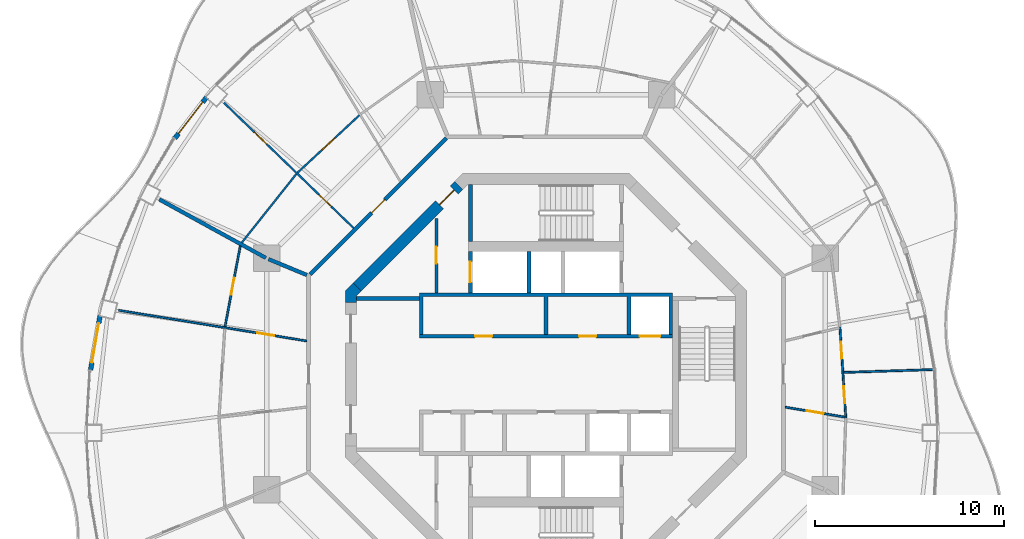
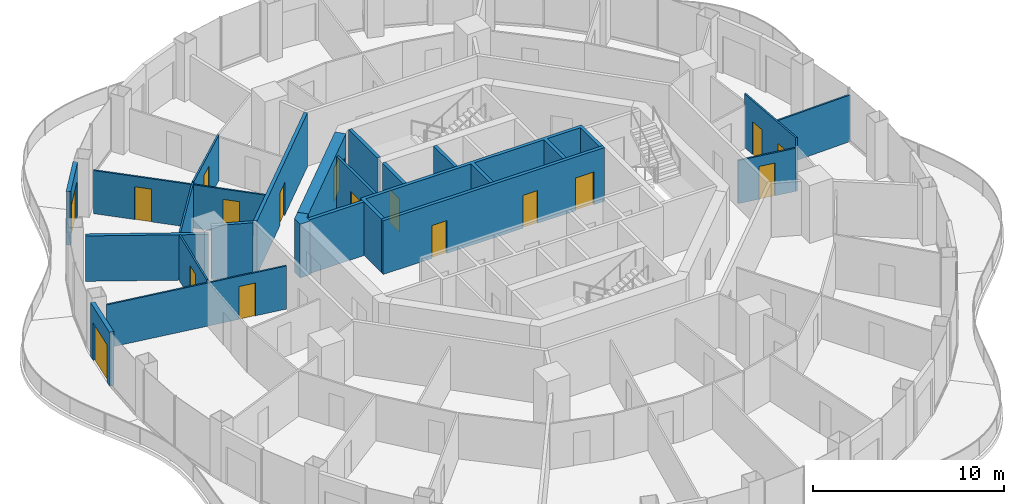
# One storey, part 12 of 17: 22 walls, 17 doors, 17 openings.
"""IFC4 building model written with IfcOpenShell, lengths in metres."""

from ifc_helpers import new_model, si_unit, direction, frame, frame_2d, origin, place, context, subcontext, project, spatial, polyline, rectangle, outline, extrude, material, layer, layer_set, type_object, element, fill, save


model = new_model("IFC4")

# Units and contexts
model_context = context("Model", 3, precision=1e-05, world=origin(), true_north=direction((0.0, 1.0)))
body_context = subcontext(model_context, "Body", "Model", "MODEL_VIEW")
ifc_project = project(units=[si_unit("LENGTHUNIT", "METRE"), si_unit("AREAUNIT", "SQUARE_METRE"), si_unit("VOLUMEUNIT", "CUBIC_METRE"), si_unit("PLANEANGLEUNIT", "RADIAN"), si_unit("MASSUNIT", "GRAM", prefix="KILO")], contexts=[model_context])

# Site, building, storey
site_placement = place(None, origin())
site = spatial("IfcSite", under=ifc_project, at=site_placement, CompositionType="ELEMENT")
building_placement = place(site_placement, origin())
building = spatial("IfcBuilding", under=site, at=building_placement, Name="Nagisa Residences", CompositionType="ELEMENT")
storey_placement = place(building_placement, frame((0.0, 0.0, 291.800048828125)))
storey = spatial("IfcBuildingStorey", under=building, at=storey_placement, Name="L74", CompositionType="ELEMENT", Elevation=291.800048828125)

# Walls
ifc_material_1 = material(Name="Gypsum board on steel studs", Category="steel")
ifc_layer_1 = layer(ifc_material_1, 0.199951171875)
ifc_layer_set_1 = layer_set([ifc_layer_1], Name="Apartment compartment wall EI60 200")
wall_type_1 = type_object("IfcWallType", Name="Apartment compartment wall EI60 200", PredefinedType="PARTITIONING", material=ifc_layer_set_1)
wall_1_placement = place(storey_placement, frame((-12.6572265625, 5.24267578125, 0.0), z_axis=(0.0, 0.0, 1.0), x_axis=(-0.923869415315, 0.382707856524, 0.0)))
element("IfcWall", 1, at=wall_1_placement, inside=storey, type_object=wall_type_1, Name="wall:L74:u04", PredefinedType="PARTITIONING", context=body_context, shape_type="SweptSolid", body=[
    extrude(rectangle(XDim=2.2001953125, YDim=0.199951171875, at=frame_2d((1.10009765625, 0.0))), origin(), (0.0, 0.0, 1.0), 3.43994140625),
])
wall_2_placement = place(storey_placement, frame((-14.825927734375, 6.14697265625, 0.0), z_axis=(0.0, 0.0, 1.0), x_axis=(-0.876484755865, 0.481429613481, 0.0)))
element("IfcWall", 2, at=wall_2_placement, inside=storey, type_object=wall_type_1, Name="wall:L74:u05", PredefinedType="PARTITIONING", context=body_context, shape_type="SweptSolid", body=[
    extrude(rectangle(XDim=6.43896484375, YDim=0.199951171875, at=frame_2d((3.219482421875, 0.0))), origin(), (0.0, 0.0, 1.0), 2.905029296875),
])

# Wall, opening, door
ifc_material_2 = material(Name="Gypsum board on steel studs", Category="steel")
ifc_layer_2 = layer(ifc_material_2, 0.199951171875)
ifc_layer_set_2 = layer_set([ifc_layer_2], Name="Apartment entry wall EI60 200")
wall_type_2 = type_object("IfcWallType", Name="Apartment entry wall EI60 200", PredefinedType="PARTITIONING", material=ifc_layer_set_2)
wall_3_placement = place(storey_placement, frame((-5.275146484375, 12.494140625, 0.0), z_axis=(0.0, 0.0, 1.0), x_axis=(-0.707106781187, -0.707106781187, 0.0)))
wall_3 = element("IfcWall", 3, at=wall_3_placement, inside=storey, type_object=wall_type_2, Name="wall:L74:u13", PredefinedType="PARTITIONING", context=body_context, shape_type="SweptSolid", body=[
    extrude(rectangle(XDim=10.209228515625, YDim=0.199951171875, at=frame_2d((5.1044921875, 0.0))), origin(), (0.0, 0.0, 1.0), 3.43994140625),
])
opening_1_placement = place(wall_3_placement, frame((4.6044921875, 0.0, 0.0)))
opening_1 = element("IfcOpeningElement", 4, at=opening_1_placement, cuts=wall_3, Name="Opening L74-U25", PredefinedType="OPENING", context=body_context, shape_type="SweptSolid", body=[
    extrude(rectangle(XDim=1.0, YDim=2.10009765625, at=frame_2d((0.5, 1.050048828125))), frame((0.0, 0.10986328125, 0.0), z_axis=(0.0, -1.0, 0.0), x_axis=(1.0, 0.0, 0.0)), (0.0, 0.0, 1.0), 0.219970703125),
])
ifc_material_3 = material(Name="Timber fire door set", Category="wood")
door_type_1 = type_object("IfcDoorType", Name="Apartment entry door FD30S 1000x2100", OperationType="NOTDEFINED", PredefinedType="DOOR", material=ifc_material_3)
door_1_placement = place(opening_1_placement, frame((1.0, 0.0, 0.0), x_axis=(-1.0, 0.0, 0.0)))
door_1 = element("IfcDoor", 5, at=door_1_placement, inside=storey, type_object=door_type_1, Name="Entry door, Apartment 74D", OperationType="SINGLE_SWING_RIGHT", OverallHeight=2.10009765625, OverallWidth=1.0, PredefinedType="DOOR", context=body_context, shape_type="SweptSolid", body=[
    extrude(rectangle(XDim=1.0, YDim=2.10009765625, at=frame_2d((0.5, 1.050048828125))), frame((0.0, 0.02490234375, 0.0), z_axis=(0.0, -1.0, 0.0), x_axis=(1.0, 0.0, 0.0)), (0.0, 0.0, 1.0), 0.050048828125),
])
fill(opening_1, door_1)

ifc_material_4 = material(Name="Gypsum board on steel studs", Category="steel")
ifc_layer_3 = layer(ifc_material_4, 0.10009765625)
ifc_layer_set_3 = layer_set([ifc_layer_3], Name="Apartment partition 100")
wall_type_3 = type_object("IfcWallType", Name="Apartment partition 100", PredefinedType="PARTITIONING", material=ifc_layer_set_3)
wall_4_placement = place(storey_placement, frame((12.663330078125, -1.75146484375, 0.0), z_axis=(0.0, 0.0, 1.0), x_axis=(0.98626156497, -0.165191178529, 0.0)))
wall_4 = element("IfcWall", 6, at=wall_4_placement, inside=storey, type_object=wall_type_3, Name="wall:L74:u18", PredefinedType="PARTITIONING", context=body_context, shape_type="SweptSolid", body=[
    extrude(rectangle(XDim=3.1982421875, YDim=0.10009765625, at=frame_2d((1.59912109375, 0.0))), origin(), (0.0, 0.0, 1.0), 2.761962890625),
])
opening_2_placement = place(wall_4_placement, frame((1.149169921875, 0.0, 0.0)))
opening_2 = element("IfcOpeningElement", 7, at=opening_2_placement, cuts=wall_4, Name="Opening L74-U13", PredefinedType="OPENING", context=body_context, shape_type="SweptSolid", body=[
    extrude(rectangle(XDim=0.89990234375, YDim=2.10009765625, at=frame_2d((0.449951171875, 1.050048828125))), frame((0.0, 0.06005859375, 0.0), z_axis=(0.0, -1.0, 0.0), x_axis=(1.0, 0.0, 0.0)), (0.0, 0.0, 1.0), 0.1201171875),
])
ifc_material_5 = material(Name="Timber door set", Category="wood")
door_type_2 = type_object("IfcDoorType", Name="Apartment door 900x2100", OperationType="NOTDEFINED", PredefinedType="DOOR", material=ifc_material_5)
door_2_placement = place(opening_2_placement, frame((0.89990234375, 0.0, 0.0), x_axis=(-1.0, 0.0, 0.0)))
door_2 = element("IfcDoor", 8, at=door_2_placement, inside=storey, type_object=door_type_2, Name="Door to laundry, Apartment 74B", OperationType="SINGLE_SWING_RIGHT", OverallHeight=2.10009765625, OverallWidth=0.89990234375, PredefinedType="DOOR", context=body_context, shape_type="SweptSolid", body=[
    extrude(rectangle(XDim=0.89990234375, YDim=2.10009765625, at=frame_2d((0.449951171875, 1.050048828125))), frame((0.0, 0.02490234375, 0.0), z_axis=(0.0, -1.0, 0.0), x_axis=(1.0, 0.0, 0.0)), (0.0, 0.0, 1.0), 0.050048828125),
])
fill(opening_2, door_2)

# Wall, openings, doors
wall_5_placement = place(storey_placement, frame((15.8701171875, -2.337890625, 0.0), z_axis=(0.0, 0.0, 1.0), x_axis=(-0.064797294757, 0.997898447034, 0.0)))
wall_5 = element("IfcWall", 9, at=wall_5_placement, inside=storey, type_object=wall_type_3, Name="wall:L74:u19", PredefinedType="PARTITIONING", context=body_context, shape_type="SweptSolid", body=[
    extrude(rectangle(XDim=4.856689453125, YDim=0.10009765625, at=frame_2d((2.42822265625, 0.0))), origin(), (0.0, 0.0, 1.0), 3.43994140625),
])
opening_3_placement = place(wall_5_placement, frame((0.789306640625, 0.0, 0.0)))
opening_3 = element("IfcOpeningElement", 10, at=opening_3_placement, cuts=wall_5, Name="Opening L74-U15", PredefinedType="OPENING", context=body_context, shape_type="SweptSolid", body=[
    extrude(rectangle(XDim=0.89990234375, YDim=2.10009765625, at=frame_2d((0.449951171875, 1.050048828125))), frame((0.0, 0.06005859375, 0.0), z_axis=(0.0, -1.0, 0.0), x_axis=(1.0, 0.0, 0.0)), (0.0, 0.0, 1.0), 0.1201171875),
])
opening_4_placement = place(wall_5_placement, frame((3.16748046875, 0.0, 0.0)))
opening_4 = element("IfcOpeningElement", 11, at=opening_4_placement, cuts=wall_5, Name="Opening L74-U16", PredefinedType="OPENING", context=body_context, shape_type="SweptSolid", body=[
    extrude(rectangle(XDim=0.89990234375, YDim=2.10009765625, at=frame_2d((0.449951171875, 1.050048828125))), frame((0.0, 0.06005859375, 0.0), z_axis=(0.0, -1.0, 0.0), x_axis=(1.0, 0.0, 0.0)), (0.0, 0.0, 1.0), 0.1201171875),
])
door_3_placement = place(opening_3_placement, frame((0.89990234375, 0.0, 0.0), x_axis=(-1.0, 0.0, 0.0)))
door_3 = element("IfcDoor", 12, at=door_3_placement, inside=storey, type_object=door_type_2, Name="Door to master bedroom, Apartment 74B", OperationType="SINGLE_SWING_RIGHT", OverallHeight=2.10009765625, OverallWidth=0.89990234375, PredefinedType="DOOR", context=body_context, shape_type="SweptSolid", body=[
    extrude(rectangle(XDim=0.89990234375, YDim=2.10009765625, at=frame_2d((0.449951171875, 1.050048828125))), frame((0.0, 0.02490234375, 0.0), z_axis=(0.0, -1.0, 0.0), x_axis=(1.0, 0.0, 0.0)), (0.0, 0.0, 1.0), 0.050048828125),
])
fill(opening_3, door_3)
door_4_placement = place(opening_4_placement, frame((0.89990234375, 0.0, 0.0), x_axis=(-1.0, 0.0, 0.0)))
door_4 = element("IfcDoor", 13, at=door_4_placement, inside=storey, type_object=door_type_2, Name="Door to bedroom, Apartment 74B", OperationType="SINGLE_SWING_LEFT", OverallHeight=2.10009765625, OverallWidth=0.89990234375, PredefinedType="DOOR", context=body_context, shape_type="SweptSolid", body=[
    extrude(rectangle(XDim=0.89990234375, YDim=2.10009765625, at=frame_2d((0.449951171875, 1.050048828125))), frame((0.0, 0.02490234375, 0.0), z_axis=(0.0, -1.0, 0.0), x_axis=(1.0, 0.0, 0.0)), (0.0, 0.0, 1.0), 0.050048828125),
])
fill(opening_4, door_4)

# Wall
wall_6_placement = place(storey_placement, frame((15.7626953125, 0.0869140625, 0.0), z_axis=(0.0, 0.0, 1.0), x_axis=(0.999492034598, 0.03186962151, 0.0)))
element("IfcWall", 14, at=wall_6_placement, inside=storey, type_object=wall_type_3, Name="wall:L74:u21", PredefinedType="PARTITIONING", context=body_context, shape_type="SweptSolid", body=[
    extrude(rectangle(XDim=4.826171875, YDim=0.10009765625, at=frame_2d((2.4130859375, 0.0))), origin(), (0.0, 0.0, 1.0), 2.98291015625),
])

# Wall, opening, door
wall_7_placement = place(storey_placement, frame((-9.87548828125, 13.702392578125, 0.0), z_axis=(0.0, 0.0, 1.0), x_axis=(-0.732618266441, -0.680639754699, 0.0)))
wall_7 = element("IfcWall", 15, at=wall_7_placement, inside=storey, type_object=wall_type_3, Name="wall:L74:u36", PredefinedType="PARTITIONING", context=body_context, shape_type="SweptSolid", body=[
    extrude(rectangle(XDim=4.466796875, YDim=0.10009765625, at=frame_2d((2.2333984375, 0.0))), origin(), (0.0, 0.0, 1.0), 2.905029296875),
])
opening_5_placement = place(wall_7_placement, frame((1.783447265625, 0.0, 0.0)))
opening_5 = element("IfcOpeningElement", 16, at=opening_5_placement, cuts=wall_7, Name="Opening L74-U28", PredefinedType="OPENING", context=body_context, shape_type="SweptSolid", body=[
    extrude(rectangle(XDim=0.89990234375, YDim=2.10009765625, at=frame_2d((0.449951171875, 1.050048828125))), frame((0.0, 0.06005859375, 0.0), z_axis=(0.0, -1.0, 0.0), x_axis=(1.0, 0.0, 0.0)), (0.0, 0.0, 1.0), 0.1201171875),
])
door_5_placement = place(opening_5_placement, frame((0.89990234375, 0.0, 0.0), x_axis=(-1.0, 0.0, 0.0)))
door_5 = element("IfcDoor", 17, at=door_5_placement, inside=storey, type_object=door_type_2, Name="Door to kitchen, Apartment 74D", OperationType="SINGLE_SWING_LEFT", OverallHeight=2.10009765625, OverallWidth=0.89990234375, PredefinedType="DOOR", context=body_context, shape_type="SweptSolid", body=[
    extrude(rectangle(XDim=0.89990234375, YDim=2.10009765625, at=frame_2d((0.449951171875, 1.050048828125))), frame((0.0, 0.02490234375, 0.0), z_axis=(0.0, -1.0, 0.0), x_axis=(1.0, 0.0, 0.0)), (0.0, 0.0, 1.0), 0.050048828125),
])
fill(opening_5, door_5)

# Wall, openings, doors
wall_8_placement = place(storey_placement, frame((-10.183349609375, 7.727294921875, 0.0), z_axis=(0.0, 0.0, 1.0), x_axis=(-0.719063433856, 0.694944442449, 0.0)))
wall_8 = element("IfcWall", 18, at=wall_8_placement, inside=storey, type_object=wall_type_3, Name="wall:L74:u37", PredefinedType="PARTITIONING", context=body_context, shape_type="SweptSolid", body=[
    extrude(rectangle(XDim=9.53515625, YDim=0.10009765625, at=frame_2d((4.767578125, 0.0))), origin(), (0.0, 0.0, 1.0), 2.761962890625),
])
opening_6_placement = place(wall_8_placement, frame((1.636962890625, 0.0, 0.0)))
opening_6 = element("IfcOpeningElement", 19, at=opening_6_placement, cuts=wall_8, Name="Opening L74-U27", PredefinedType="OPENING", context=body_context, shape_type="SweptSolid", body=[
    extrude(rectangle(XDim=0.89990234375, YDim=2.10009765625, at=frame_2d((0.449951171875, 1.050048828125))), frame((0.0, 0.06005859375, 0.0), z_axis=(0.0, -1.0, 0.0), x_axis=(1.0, 0.0, 0.0)), (0.0, 0.0, 1.0), 0.1201171875),
])
opening_7_placement = place(wall_8_placement, frame((6.404541015625, 0.0, 0.0)))
opening_7 = element("IfcOpeningElement", 20, at=opening_7_placement, cuts=wall_8, Name="Opening L74-U29", PredefinedType="OPENING", context=body_context, shape_type="SweptSolid", body=[
    extrude(rectangle(XDim=0.89990234375, YDim=2.10009765625, at=frame_2d((0.449951171875, 1.050048828125))), frame((0.0, 0.06005859375, 0.0), z_axis=(0.0, -1.0, 0.0), x_axis=(1.0, 0.0, 0.0)), (0.0, 0.0, 1.0), 0.1201171875),
])
door_6_placement = place(opening_6_placement, origin())
door_6 = element("IfcDoor", 21, at=door_6_placement, inside=storey, type_object=door_type_2, Name="Door to laundry, Apartment 74D", OperationType="SINGLE_SWING_LEFT", OverallHeight=2.10009765625, OverallWidth=0.89990234375, PredefinedType="DOOR", context=body_context, shape_type="SweptSolid", body=[
    extrude(rectangle(XDim=0.89990234375, YDim=2.10009765625, at=frame_2d((0.449951171875, 1.050048828125))), frame((0.0, 0.02490234375, 0.0), z_axis=(0.0, -1.0, 0.0), x_axis=(1.0, 0.0, 0.0)), (0.0, 0.0, 1.0), 0.050048828125),
])
fill(opening_6, door_6)
door_7_placement = place(opening_7_placement, origin())
door_7 = element("IfcDoor", 22, at=door_7_placement, inside=storey, type_object=door_type_2, Name="Door to living room, Apartment 74D", OperationType="SINGLE_SWING_LEFT", OverallHeight=2.10009765625, OverallWidth=0.89990234375, PredefinedType="DOOR", context=body_context, shape_type="SweptSolid", body=[
    extrude(rectangle(XDim=0.89990234375, YDim=2.10009765625, at=frame_2d((0.449951171875, 1.050048828125))), frame((0.0, 0.02490234375, 0.0), z_axis=(0.0, -1.0, 0.0), x_axis=(1.0, 0.0, 0.0)), (0.0, 0.0, 1.0), 0.050048828125),
])
fill(opening_7, door_7)

# Wall
wall_9_placement = place(storey_placement, frame((-13.2158203125, 10.5888671875, 0.0), z_axis=(0.0, 0.0, 1.0), x_axis=(-0.622251572882, -0.782817335045, 0.0)))
element("IfcWall", 23, at=wall_9_placement, inside=storey, type_object=wall_type_3, Name="wall:L74:u38", PredefinedType="PARTITIONING", context=body_context, shape_type="SweptSolid", body=[
    extrude(rectangle(XDim=4.635986328125, YDim=0.10009765625, at=frame_2d((2.31787109375, 0.0))), origin(), (0.0, 0.0, 1.0), 2.905029296875),
])

# Wall, opening, door
wall_10_placement = place(storey_placement, frame((-16.181396484375, 6.783203125, 0.0), z_axis=(0.0, 0.0, 1.0), x_axis=(-0.185670583745, -0.982612046706, 0.0)))
wall_10 = element("IfcWall", 24, at=wall_10_placement, inside=storey, type_object=wall_type_3, Name="wall:L74:u39", PredefinedType="PARTITIONING", context=body_context, shape_type="SweptSolid", body=[
    extrude(rectangle(XDim=4.35107421875, YDim=0.10009765625, at=frame_2d((2.175537109375, 0.0))), origin(), (0.0, 0.0, 1.0), 2.905029296875),
])
opening_8_placement = place(wall_10_placement, frame((1.7255859375, 0.0, 0.0)))
opening_8 = element("IfcOpeningElement", 25, at=opening_8_placement, cuts=wall_10, Name="Opening L74-U34", PredefinedType="OPENING", context=body_context, shape_type="SweptSolid", body=[
    extrude(rectangle(XDim=0.89990234375, YDim=2.10009765625, at=frame_2d((0.449951171875, 1.050048828125))), frame((0.0, 0.06005859375, 0.0), z_axis=(0.0, -1.0, 0.0), x_axis=(1.0, 0.0, 0.0)), (0.0, 0.0, 1.0), 0.1201171875),
])
door_8_placement = place(opening_8_placement, frame((0.89990234375, 0.0, 0.0), x_axis=(-1.0, 0.0, 0.0)))
door_8 = element("IfcDoor", 26, at=door_8_placement, inside=storey, type_object=door_type_2, Name="Door to bedroom, Apartment 74E", OperationType="SINGLE_SWING_LEFT", OverallHeight=2.10009765625, OverallWidth=0.89990234375, PredefinedType="DOOR", context=body_context, shape_type="SweptSolid", body=[
    extrude(rectangle(XDim=0.89990234375, YDim=2.10009765625, at=frame_2d((0.449951171875, 1.050048828125))), frame((0.0, 0.02490234375, 0.0), z_axis=(0.0, -1.0, 0.0), x_axis=(1.0, 0.0, 0.0)), (0.0, 0.0, 1.0), 0.050048828125),
])
fill(opening_8, door_8)

wall_11_placement = place(storey_placement, frame((-12.66357421875, 1.7509765625, 0.0), z_axis=(0.0, 0.0, 1.0), x_axis=(-0.986935394566, 0.161116501183, 0.0)))
wall_11 = element("IfcWall", 27, at=wall_11_placement, inside=storey, type_object=wall_type_3, Name="wall:L74:u40", PredefinedType="PARTITIONING", context=body_context, shape_type="SweptSolid", body=[
    extrude(rectangle(XDim=10.0859375, YDim=0.10009765625, at=frame_2d((5.04296875, 0.0))), origin(), (0.0, 0.0, 1.0), 2.761962890625),
])
opening_9_placement = place(wall_11_placement, frame((1.74609375, 0.0, 0.0)))
opening_9 = element("IfcOpeningElement", 28, at=opening_9_placement, cuts=wall_11, Name="Opening L74-U32", PredefinedType="OPENING", context=body_context, shape_type="SweptSolid", body=[
    extrude(rectangle(XDim=0.89990234375, YDim=2.10009765625, at=frame_2d((0.449951171875, 1.050048828125))), frame((0.0, 0.06005859375, 0.0), z_axis=(0.0, -1.0, 0.0), x_axis=(1.0, 0.0, 0.0)), (0.0, 0.0, 1.0), 0.1201171875),
])
door_9_placement = place(opening_9_placement, frame((0.89990234375, 0.0, 0.0), x_axis=(-1.0, 0.0, 0.0)))
door_9 = element("IfcDoor", 29, at=door_9_placement, inside=storey, type_object=door_type_2, Name="Door to store, Apartment 74E", OperationType="SINGLE_SWING_LEFT", OverallHeight=2.10009765625, OverallWidth=0.89990234375, PredefinedType="DOOR", context=body_context, shape_type="SweptSolid", body=[
    extrude(rectangle(XDim=0.89990234375, YDim=2.10009765625, at=frame_2d((0.449951171875, 1.050048828125))), frame((0.0, 0.02490234375, 0.0), z_axis=(0.0, -1.0, 0.0), x_axis=(1.0, 0.0, 0.0)), (0.0, 0.0, 1.0), 0.050048828125),
])
fill(opening_9, door_9)

ifc_material_6 = material(Name="Precast concrete C40/50", Category="concrete")
ifc_layer_4 = layer(ifc_material_6, 0.25)
ifc_layer_set_4 = layer_set([ifc_layer_4], Name="BALCONY DOOR WALL 250")
wall_type_4 = type_object("IfcWallType", Name="BALCONY DOOR WALL 250", PredefinedType="SOLIDWALL", material=ifc_layer_set_4)
wall_12_placement = place(storey_placement, frame((-19.646728515625, 12.4755859375, 0.0), z_axis=(0.0, 0.0, 1.0), x_axis=(0.610475325435, 0.79203527512, 0.0)))
wall_12 = element("IfcWall", 30, at=wall_12_placement, inside=storey, type_object=wall_type_4, Name="wall:L74:bay18", PredefinedType="SOLIDWALL", context=body_context, shape_type="SweptSolid", body=[
    extrude(rectangle(XDim=2.745849609375, YDim=0.25, at=frame_2d((1.373046875, 0.0))), origin(), (0.0, 0.0, 1.0), 3.43994140625),
])
opening_10_placement = place(wall_12_placement, frame((0.322998046875, 0.0, 0.0)))
opening_10 = element("IfcOpeningElement", 31, at=opening_10_placement, cuts=wall_12, Name="Opening BD-L74-07", PredefinedType="OPENING", context=body_context, shape_type="SweptSolid", body=[
    extrude(rectangle(XDim=2.10009765625, YDim=2.39990234375, at=frame_2d((1.050048828125, 1.199951171875))), frame((0.0, 0.135009765625, 0.0), z_axis=(0.0, -1.0, 0.0), x_axis=(1.0, 0.0, 0.0)), (0.0, 0.0, 1.0), 0.27001953125),
])
ifc_material_7 = material(Name="Aluminium and clear glass", Category="aluminium")
door_type_3 = type_object("IfcDoorType", Name="BALCONY SLIDING DOOR 2100x2400", OperationType="SLIDING_TO_LEFT", PredefinedType="DOOR", material=ifc_material_7)
door_10_placement = place(opening_10_placement, origin())
door_10 = element("IfcDoor", 32, at=door_10_placement, inside=storey, type_object=door_type_3, Name="door:L74:bay18", OperationType="SLIDING_TO_LEFT", OverallHeight=2.39990234375, OverallWidth=2.10009765625, PredefinedType="DOOR", context=body_context, shape_type="SweptSolid", body=[
    extrude(rectangle(XDim=2.10009765625, YDim=2.39990234375, at=frame_2d((1.050048828125, 1.199951171875))), frame((0.0, 0.02490234375, 0.0), z_axis=(0.0, -1.0, 0.0), x_axis=(1.0, 0.0, 0.0)), (0.0, 0.0, 1.0), 0.050048828125),
])
fill(opening_10, door_10)

wall_13_placement = place(storey_placement, frame((-24.103271484375, 0.220458984375, 0.0), z_axis=(0.0, 0.0, 1.0), x_axis=(0.172182411767, 0.985065082661, 0.0)))
wall_13 = element("IfcWall", 33, at=wall_13_placement, inside=storey, type_object=wall_type_4, Name="wall:L74:bay22", PredefinedType="SOLIDWALL", context=body_context, shape_type="SweptSolid", body=[
    extrude(rectangle(XDim=2.902587890625, YDim=0.25, at=frame_2d((1.451171875, 0.0))), origin(), (0.0, 0.0, 1.0), 3.43994140625),
])
opening_11_placement = place(wall_13_placement, frame((0.401123046875, 0.0, 0.0)))
opening_11 = element("IfcOpeningElement", 34, at=opening_11_placement, cuts=wall_13, Name="Opening BD-L74-08", PredefinedType="OPENING", context=body_context, shape_type="SweptSolid", body=[
    extrude(rectangle(XDim=2.10009765625, YDim=2.39990234375, at=frame_2d((1.050048828125, 1.199951171875))), frame((0.0, 0.135009765625, 0.0), z_axis=(0.0, -1.0, 0.0), x_axis=(1.0, 0.0, 0.0)), (0.0, 0.0, 1.0), 0.27001953125),
])
door_11_placement = place(opening_11_placement, origin())
door_11 = element("IfcDoor", 35, at=door_11_placement, inside=storey, type_object=door_type_3, Name="door:L74:bay22", OperationType="SLIDING_TO_LEFT", OverallHeight=2.39990234375, OverallWidth=2.10009765625, PredefinedType="DOOR", context=body_context, shape_type="SweptSolid", body=[
    extrude(rectangle(XDim=2.10009765625, YDim=2.39990234375, at=frame_2d((1.050048828125, 1.199951171875))), frame((0.0, 0.02490234375, 0.0), z_axis=(0.0, -1.0, 0.0), x_axis=(1.0, 0.0, 0.0)), (0.0, 0.0, 1.0), 0.050048828125),
])
fill(opening_11, door_11)

ifc_material_8 = material(Name="Gypsum board on steel studs", Category="steel")
ifc_layer_5 = layer(ifc_material_8, 0.14990234375)
ifc_layer_set_5 = layer_set([ifc_layer_5], Name="Core partition 150")
wall_type_5 = type_object("IfcWallType", Name="Core partition 150", PredefinedType="PARTITIONING", material=ifc_layer_set_5)
wall_14_placement = place(storey_placement, frame((-5.800048828125, 4.300048828125, 0.0), z_axis=(0.0, 0.0, 1.0), x_axis=(0.0, 1.0, 0.0)))
wall_14 = element("IfcWall", 36, at=wall_14_placement, inside=storey, type_object=wall_type_5, Name="wall:L74:NWp", PredefinedType="PARTITIONING", context=body_context, shape_type="SweptSolid", body=[
    extrude(rectangle(XDim=3.927001953125, YDim=0.14990234375, at=frame_2d((1.96337890625, 0.0))), origin(), (0.0, 0.0, 1.0), 3.43994140625),
])
opening_12_placement = place(wall_14_placement, frame((1.551025390625, 0.0, 0.0)))
opening_12 = element("IfcOpeningElement", 37, at=opening_12_placement, cuts=wall_14, Name="Opening L74-C10", PredefinedType="OPENING", context=body_context, shape_type="SweptSolid", body=[
    extrude(rectangle(XDim=0.89990234375, YDim=2.10009765625, at=frame_2d((0.449951171875, 1.050048828125))), frame((0.0, 0.0849609375, 0.0), z_axis=(0.0, -1.0, 0.0), x_axis=(1.0, 0.0, 0.0)), (0.0, 0.0, 1.0), 0.169921875),
])
ifc_material_9 = material(Name="Steel fire door", Category="steel")
door_type_4 = type_object("IfcDoorType", Name="Fire door EI30 900x2100 single swing", OperationType="NOTDEFINED", PredefinedType="DOOR", material=ifc_material_9)
door_12_placement = place(opening_12_placement, origin())
door_12 = element("IfcDoor", 38, at=door_12_placement, inside=storey, type_object=door_type_4, Name="Staff WC door L74", OperationType="SINGLE_SWING_RIGHT", OverallHeight=2.10009765625, OverallWidth=0.89990234375, PredefinedType="DOOR", context=body_context, shape_type="SweptSolid", body=[
    extrude(rectangle(XDim=0.89990234375, YDim=2.10009765625, at=frame_2d((0.449951171875, 1.050048828125))), frame((0.0, 0.02490234375, 0.0), z_axis=(0.0, -1.0, 0.0), x_axis=(1.0, 0.0, 0.0)), (0.0, 0.0, 1.0), 0.050048828125),
])
fill(opening_12, door_12)

# Wall
ifc_material_10 = material(Name="Gypsum board on steel studs", Category="steel")
ifc_layer_6 = layer(ifc_material_10, 0.199951171875)
ifc_layer_set_6 = layer_set([ifc_layer_6], Name="Core partition 200")
wall_type_6 = type_object("IfcWallType", Name="Core partition 200", PredefinedType="PARTITIONING", material=ifc_layer_set_6)
wall_15_placement = place(storey_placement, frame((-10.024658203125, 4.0, 0.0), z_axis=(0.0, 0.0, 1.0), x_axis=(1.0, 0.0, 0.0)))
element("IfcWall", 39, at=wall_15_placement, inside=storey, type_object=wall_type_6, Name="wall:L74:PNW", PredefinedType="PARTITIONING", context=body_context, shape_type="SweptSolid", body=[
    extrude(rectangle(XDim=3.32470703125, YDim=0.199951171875, at=frame_2d((1.662353515625, 0.0))), origin(), (0.0, 0.0, 1.0), 3.43994140625),
])

# Wall, opening, door
ifc_material_11 = material(Name="Concrete C60", Category="concrete")
ifc_layer_7 = layer(ifc_material_11, 0.60009765625)
ifc_layer_set_7 = layer_set([ifc_layer_7], Name="Core shear wall 600")
wall_type_7 = type_object("IfcWallType", Name="Core shear wall 600", PredefinedType="SHEAR", material=ifc_layer_set_7)
wall_16_placement = place(storey_placement, frame((-4.613037109375, 9.98828125, 0.0), z_axis=(0.0, 0.0, 1.0), x_axis=(-0.707106781187, -0.707106781187, 0.0)))
wall_16 = element("IfcWall", 40, at=wall_16_placement, inside=storey, type_object=wall_type_7, Name="wall:L74:core:flat3", PredefinedType="SHEAR", context=body_context, shape_type="SweptSolid", body=[
    extrude(rectangle(XDim=7.601806640625, YDim=0.60009765625, at=frame_2d((3.80078125, 0.0))), origin(), (0.0, 0.0, 1.0), 3.43994140625),
])
opening_13_placement = place(wall_16_placement, frame((0.350830078125, 0.0, 0.0)))
opening_13 = element("IfcOpeningElement", 41, at=opening_13_placement, cuts=wall_16, Name="Opening L74-C22", PredefinedType="OPENING", context=body_context, shape_type="SweptSolid", body=[
    extrude(rectangle(XDim=1.10009765625, YDim=2.10009765625, at=frame_2d((0.550048828125, 1.050048828125))), frame((0.0, 0.31005859375, 0.0), z_axis=(0.0, -1.0, 0.0), x_axis=(1.0, 0.0, 0.0)), (0.0, 0.0, 1.0), 0.6201171875),
])
ifc_material_12 = material(Name="Steel fire door", Category="steel")
door_type_5 = type_object("IfcDoorType", Name="Fire door EI60 1100x2100 single swing", OperationType="NOTDEFINED", PredefinedType="DOOR", material=ifc_material_12)
door_13_placement = place(opening_13_placement, origin())
door_13 = element("IfcDoor", 42, at=door_13_placement, inside=storey, type_object=door_type_5, Name="Service lobby door L74", OperationType="SINGLE_SWING_RIGHT", OverallHeight=2.10009765625, OverallWidth=1.10009765625, PredefinedType="DOOR", context=body_context, shape_type="SweptSolid", body=[
    extrude(rectangle(XDim=1.10009765625, YDim=2.10009765625, at=frame_2d((0.550048828125, 1.050048828125))), frame((0.0, 0.02490234375, 0.0), z_axis=(0.0, -1.0, 0.0), x_axis=(1.0, 0.0, 0.0)), (0.0, 0.0, 1.0), 0.050048828125),
])
fill(opening_13, door_13)

# Wall
wall_17_placement = place(storey_placement, origin())
element("IfcWall", 43, at=wall_17_placement, inside=storey, type_object=wall_type_7, Name="wall:L74:core:pier3", PredefinedType="SHEAR", context=body_context, shape_type="SweptSolid", body=[
    extrude(outline(polyline([(-10.200439453125, 4.8251953125), (-9.776123046875, 4.40087890625), (-10.024658203125, 4.15234375), (-10.024658203125, 3.80078125), (-10.62451171875, 3.80078125), (-10.62451171875, 4.40087890625), (-10.200439453125, 4.8251953125)])), origin(), (0.0, 0.0, 1.0), 3.43994140625),
])

# Wall, opening, door
ifc_material_13 = material(Name="Concrete C60", Category="concrete")
ifc_layer_8 = layer(ifc_material_13, 0.199951171875)
ifc_layer_set_8 = layer_set([ifc_layer_8], Name="Lift shaft wall 200")
wall_type_8 = type_object("IfcWallType", Name="Lift shaft wall 200", PredefinedType="SOLIDWALL", material=ifc_layer_set_8)
wall_18_placement = place(storey_placement, frame((-4.0, 4.300048828125, 0.0), z_axis=(0.0, 0.0, 1.0), x_axis=(0.0, 1.0, 0.0)))
wall_18 = element("IfcWall", 44, at=wall_18_placement, inside=storey, type_object=wall_type_8, Name="wall:L74:Nb4", PredefinedType="SOLIDWALL", context=body_context, shape_type="SweptSolid", body=[
    extrude(rectangle(XDim=2.199951171875, YDim=0.199951171875, at=frame_2d((1.10009765625, 0.0))), origin(), (0.0, 0.0, 1.0), 3.43994140625),
])
opening_14_placement = place(wall_18_placement, frame((0.550048828125, 0.0, 0.0)))
opening_14 = element("IfcOpeningElement", 45, at=opening_14_placement, cuts=wall_18, Name="Opening L74-C06", PredefinedType="OPENING", context=body_context, shape_type="SweptSolid", body=[
    extrude(rectangle(XDim=1.10009765625, YDim=2.10009765625, at=frame_2d((0.550048828125, 1.050048828125))), frame((0.0, 0.10986328125, 0.0), z_axis=(0.0, -1.0, 0.0), x_axis=(1.0, 0.0, 0.0)), (0.0, 0.0, 1.0), 0.219970703125),
])
ifc_material_14 = material(Name="Stainless steel", Category="steel")
door_type_6 = type_object("IfcDoorType", Name="Lift landing door 1100x2100", OperationType="DOUBLE_DOOR_SLIDING", PredefinedType="DOOR", material=ifc_material_14)
door_14_placement = place(opening_14_placement, origin())
door_14 = element("IfcDoor", 46, at=door_14_placement, inside=storey, type_object=door_type_6, Name="Landing door SV L74", OperationType="DOUBLE_DOOR_SLIDING", OverallHeight=2.10009765625, OverallWidth=1.10009765625, PredefinedType="DOOR", context=body_context, shape_type="SweptSolid", body=[
    extrude(rectangle(XDim=1.10009765625, YDim=2.10009765625, at=frame_2d((0.550048828125, 1.050048828125))), frame((0.0, 0.02490234375, 0.0), z_axis=(0.0, -1.0, 0.0), x_axis=(1.0, 0.0, 0.0)), (0.0, 0.0, 1.0), 0.050048828125),
])
fill(opening_14, door_14)

# Wall, openings, doors
wall_19_placement = place(storey_placement, frame((-6.699951171875, 2.0, 0.0), z_axis=(0.0, 0.0, 1.0), x_axis=(1.0, 0.0, 0.0)))
wall_19 = element("IfcWall", 47, at=wall_19_placement, inside=storey, type_object=wall_type_8, Name="wall:L74:Nfront", PredefinedType="SOLIDWALL", context=body_context, shape_type="SweptSolid", body=[
    extrude(rectangle(XDim=13.39990234375, YDim=0.199951171875, at=frame_2d((6.699951171875, 0.0))), origin(), (0.0, 0.0, 1.0), 3.43994140625),
])
opening_15_placement = place(wall_19_placement, frame((11.64990234375, 0.0, 0.0)))
opening_15 = element("IfcOpeningElement", 48, at=opening_15_placement, cuts=wall_19, Name="Opening L74-C01", PredefinedType="OPENING", context=body_context, shape_type="SweptSolid", body=[
    extrude(rectangle(XDim=1.10009765625, YDim=2.10009765625, at=frame_2d((0.550048828125, 1.050048828125))), frame((0.0, 0.10986328125, 0.0), z_axis=(0.0, -1.0, 0.0), x_axis=(1.0, 0.0, 0.0)), (0.0, 0.0, 1.0), 0.219970703125),
])
opening_16_placement = place(wall_19_placement, frame((2.949951171875, 0.0, 0.0)))
opening_16 = element("IfcOpeningElement", 49, at=opening_16_placement, cuts=wall_19, Name="Opening L74-C13", PredefinedType="OPENING", context=body_context, shape_type="SweptSolid", body=[
    extrude(rectangle(XDim=0.89990234375, YDim=2.10009765625, at=frame_2d((0.449951171875, 1.050048828125))), frame((0.0, 0.10986328125, 0.0), z_axis=(0.0, -1.0, 0.0), x_axis=(1.0, 0.0, 0.0)), (0.0, 0.0, 1.0), 0.219970703125),
])
opening_17_placement = place(wall_19_placement, frame((8.449951171875, 0.0, 0.0)))
opening_17 = element("IfcOpeningElement", 50, at=opening_17_placement, cuts=wall_19, Name="Opening L74-C14", PredefinedType="OPENING", context=body_context, shape_type="SweptSolid", body=[
    extrude(rectangle(XDim=0.89990234375, YDim=2.10009765625, at=frame_2d((0.449951171875, 1.050048828125))), frame((0.0, 0.10986328125, 0.0), z_axis=(0.0, -1.0, 0.0), x_axis=(1.0, 0.0, 0.0)), (0.0, 0.0, 1.0), 0.219970703125),
])
door_15_placement = place(opening_16_placement, origin())
door_15 = element("IfcDoor", 51, at=door_15_placement, inside=storey, type_object=door_type_4, Name="Owner storage door L74", OperationType="SINGLE_SWING_LEFT", OverallHeight=2.10009765625, OverallWidth=0.89990234375, PredefinedType="DOOR", context=body_context, shape_type="SweptSolid", body=[
    extrude(rectangle(XDim=0.89990234375, YDim=2.10009765625, at=frame_2d((0.449951171875, 1.050048828125))), frame((0.0, 0.02490234375, 0.0), z_axis=(0.0, -1.0, 0.0), x_axis=(1.0, 0.0, 0.0)), (0.0, 0.0, 1.0), 0.050048828125),
])
fill(opening_16, door_15)
door_16_placement = place(opening_17_placement, origin())
door_16 = element("IfcDoor", 52, at=door_16_placement, inside=storey, type_object=door_type_4, Name="Recycling room door L74", OperationType="SINGLE_SWING_LEFT", OverallHeight=2.10009765625, OverallWidth=0.89990234375, PredefinedType="DOOR", context=body_context, shape_type="SweptSolid", body=[
    extrude(rectangle(XDim=0.89990234375, YDim=2.10009765625, at=frame_2d((0.449951171875, 1.050048828125))), frame((0.0, 0.02490234375, 0.0), z_axis=(0.0, -1.0, 0.0), x_axis=(1.0, 0.0, 0.0)), (0.0, 0.0, 1.0), 0.050048828125),
])
fill(opening_17, door_16)
door_17_placement = place(opening_15_placement, origin())
door_17 = element("IfcDoor", 53, at=door_17_placement, inside=storey, type_object=door_type_6, Name="Landing door C1 L74", OperationType="DOUBLE_DOOR_SLIDING", OverallHeight=2.10009765625, OverallWidth=1.10009765625, PredefinedType="DOOR", context=body_context, shape_type="SweptSolid", body=[
    extrude(rectangle(XDim=1.10009765625, YDim=2.10009765625, at=frame_2d((0.550048828125, 1.050048828125))), frame((0.0, 0.02490234375, 0.0), z_axis=(0.0, -1.0, 0.0), x_axis=(1.0, 0.0, 0.0)), (0.0, 0.0, 1.0), 0.050048828125),
])
fill(opening_15, door_17)

# Walls
wall_20_placement = place(storey_placement, frame((-0.89990234375, 4.300048828125, 0.0), z_axis=(0.0, 0.0, 1.0), x_axis=(0.0, 1.0, 0.0)))
element("IfcWall", 54, at=wall_20_placement, inside=storey, type_object=wall_type_8, Name="wall:L74:Nb1", PredefinedType="SOLIDWALL", context=body_context, shape_type="SweptSolid", body=[
    extrude(rectangle(XDim=2.199951171875, YDim=0.199951171875, at=frame_2d((1.10009765625, 0.0))), origin(), (0.0, 0.0, 1.0), 3.43994140625),
])
wall_21_placement = place(storey_placement, origin())
element("IfcWall", 55, at=wall_21_placement, inside=storey, type_object=wall_type_8, Name="wall:L74:Nback", PredefinedType="SOLIDWALL", context=body_context, shape_type="SweptSolid", body=[
    extrude(outline(polyline([(-6.699951171875, 4.300048828125), (6.699951171875, 4.300048828125), (6.699951171875, 2.10009765625), (6.5, 2.10009765625), (6.5, 4.10009765625), (4.5, 4.10009765625), (4.5, 2.10009765625), (4.300048828125, 2.10009765625), (4.300048828125, 4.10009765625), (0.10009765625, 4.10009765625), (0.10009765625, 2.10009765625), (-0.10009765625, 2.10009765625), (-0.10009765625, 4.10009765625), (-6.5, 4.10009765625), (-6.5, 2.10009765625), (-6.699951171875, 2.10009765625), (-6.699951171875, 4.300048828125)])), origin(), (0.0, 0.0, 1.0), 3.43994140625),
])
ifc_material_15 = material(Name="Concrete C60", Category="concrete")
ifc_layer_9 = layer(ifc_material_15, 0.199951171875)
ifc_layer_set_9 = layer_set([ifc_layer_9], Name="Stair enclosure wall 200")
wall_type_9 = type_object("IfcWallType", Name="Stair enclosure wall 200", PredefinedType="SOLIDWALL", material=ifc_layer_set_9)
wall_22_placement = place(storey_placement, origin())
element("IfcWall", 56, at=wall_22_placement, inside=storey, type_object=wall_type_9, Name="wall:L74:SN_w", PredefinedType="SOLIDWALL", context=body_context, shape_type="SweptSolid", body=[
    extrude(outline(polyline([(-3.89990234375, 7.024658203125), (-4.10009765625, 7.024658203125), (-4.10009765625, 10.024658203125), (-3.89990234375, 10.024658203125), (-3.89990234375, 7.024658203125)])), origin(), (0.0, 0.0, 1.0), 3.43994140625),
])

save(model, "model.ifc")
